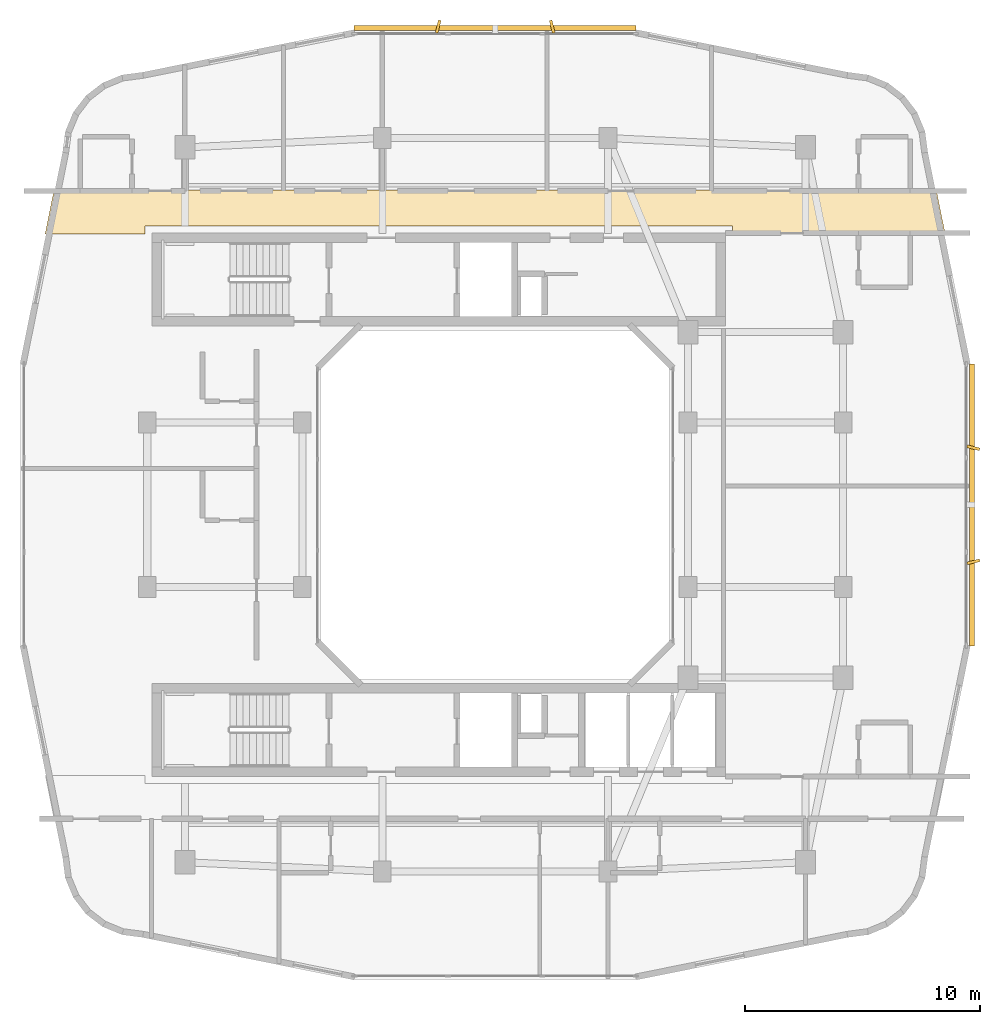
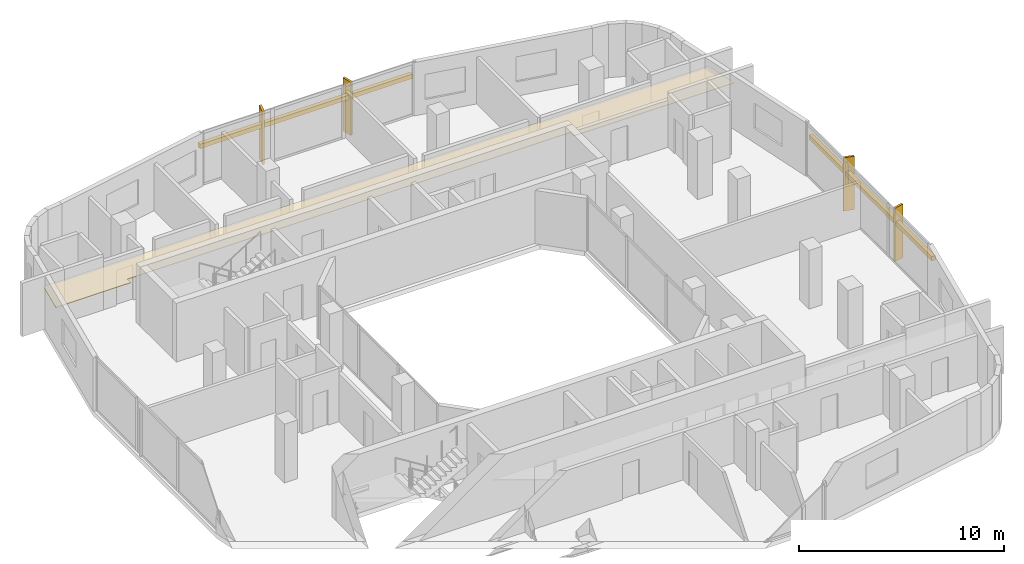
# One storey, part 14 of 14: 6 shading devices, 1 covering.
"""IFC4 building model written with IfcOpenShell, lengths in metres."""

from ifc_helpers import new_model, si_unit, derived_unit, direction, frame, origin, origin_2d, place, context, subcontext, project, spatial, polyline, rectangle, outline, extrude, material, layer, layer_set, type_object, element, save


model = new_model("IFC4")

# Units and contexts
model_context = context("Model", 3, precision=1e-05, world=origin(), true_north=direction((0.0, 1.0)))
body_context = subcontext(model_context, "Body", "Model", "MODEL_VIEW")
ifc_project = project(units=[si_unit("LENGTHUNIT", "METRE"), si_unit("AREAUNIT", "SQUARE_METRE"), si_unit("VOLUMEUNIT", "CUBIC_METRE"), si_unit("PLANEANGLEUNIT", "RADIAN"), si_unit("MASSUNIT", "GRAM", prefix="KILO"), derived_unit("THERMALTRANSMITTANCEUNIT", [(si_unit("POWERUNIT", "WATT"), 1), (si_unit("LENGTHUNIT", "METRE"), -2), (si_unit("THERMODYNAMICTEMPERATUREUNIT", "KELVIN"), -1)])], contexts=[model_context])

# Site, building, storey
site_placement = place(None, origin())
site = spatial("IfcSite", under=ifc_project, at=site_placement, CompositionType="ELEMENT")
building_placement = place(site_placement, origin())
building = spatial("IfcBuilding", under=site, at=building_placement, Name="Kivonza Crest Hotel", CompositionType="ELEMENT")
storey_placement = place(building_placement, frame((0.0, 0.0, 169.5)))
storey = spatial("IfcBuildingStorey", under=building, at=storey_placement, Name="L46", CompositionType="ELEMENT", Elevation=169.5)

# Covering
ifc_material_1 = material(Name="Moisture-resistant gypsum plasterboard ceiling", Category="gypsum")
ifc_layer = layer(ifc_material_1, 0.030029296875)
ifc_layer_set = layer_set([ifc_layer], Name="Moisture-resistant gypsum plasterboard ceiling")
covering_type = type_object("IfcCoveringType", Name="CV-CEIL-GYP", PredefinedType="CEILING", material=ifc_layer_set)
covering_placement = place(storey_placement, frame((0.0, 0.0, 2.449951171875)))
element("IfcCovering", 1, at=covering_placement, inside=storey, type_object=covering_type, Name="L46 Hotel North Guest Corridor suspended ceiling", PredefinedType="CEILING", context=body_context, shape_type="SweptSolid", body=[
    extrude(outline(polyline([(2.235107421875, 38.389892578125), (1.85791015625, 36.52001953125), (6.10009765625, 36.52001953125), (6.10009765625, 36.860107421875), (31.10009765625, 36.860107421875), (31.10009765625, 36.52001953125), (40.14208984375, 36.52001953125), (39.764892578125, 38.389892578125), (2.235107421875, 38.389892578125)])), origin(), (0.0, 0.0, 1.0), 0.030029296875),
])

# Shading devices
ifc_material_2 = material(Name="Kiln-fired Nairobi red-ochre terracotta", Category="masonry")
shading_device_type_1 = type_object("IfcShadingDeviceType", Name="SH-BAGUETTE-300", PredefinedType="USERDEFINED", material=ifc_material_2)
for number, where, z_axis, x_axis, name in (
    (2, (41.280029296875, 25.0, 2.09619140625), (0.0, 0.0, 1.0), (0.0, 1.0, 0.0), "L46 terracotta baguette screen CW-T1-L46-17"),
    (3, (21.0, 45.280029296875, 2.09619140625), (0.0, 0.0, 1.0), (-1.0, 0.0, 0.0), "L46 terracotta baguette screen CW-T1-L46-26"),
):
    element("IfcShadingDevice", number, at=place(storey_placement, frame(where, z_axis=z_axis, x_axis=x_axis)), inside=storey, type_object=shading_device_type_1, Name=name, ObjectType="BAGUETTE", PredefinedType="USERDEFINED", context=body_context, shape_type="SweptSolid", body=[
        extrude(rectangle(XDim=12.0, YDim=0.219970703125, at=origin_2d()), origin(), (0.0, 0.0, 1.0), 0.260009765625),
    ])
ifc_material_3 = material(Name="Kiln-fired terracotta over extruded aluminium spine", Category="masonry")
shading_device_type_2 = type_object("IfcShadingDeviceType", Name="SH-FIN-550", PredefinedType="USERDEFINED", material=ifc_material_3)
for number, where, z_axis, x_axis, name in (
    (4, (41.340087890625, 22.575927734375, 0.0), (0.0, 0.0, 1.0), (-0.2419218956, 0.970295726276, 0.0), "L46 vertical solar shading fin CW-T1-L46-17-1"),
    (5, (41.340087890625, 27.424072265625, 0.0), (0.0, 0.0, 1.0), (0.2419218956, 0.970295726276, 0.0), "L46 vertical solar shading fin CW-T1-L46-17-2"),
    (6, (23.424072265625, 45.340087890625, 0.0), (0.0, 0.0, 1.0), (-0.970295726276, -0.2419218956, 0.0), "L46 vertical solar shading fin CW-T1-L46-26-1"),
    (7, (18.575927734375, 45.340087890625, 0.0), (0.0, 0.0, 1.0), (-0.970295726276, 0.2419218956, 0.0), "L46 vertical solar shading fin CW-T1-L46-26-2"),
):
    element("IfcShadingDevice", number, at=place(storey_placement, frame(where, z_axis=z_axis, x_axis=x_axis)), inside=storey, type_object=shading_device_type_2, Name=name, ObjectType="FIN", PredefinedType="USERDEFINED", context=body_context, shape_type="SweptSolid", body=[
        extrude(rectangle(XDim=0.1201171875, YDim=0.550048828125, at=origin_2d()), origin(), (0.0, 0.0, 1.0), 3.179931640625),
    ])

save(model, "model.ifc")
